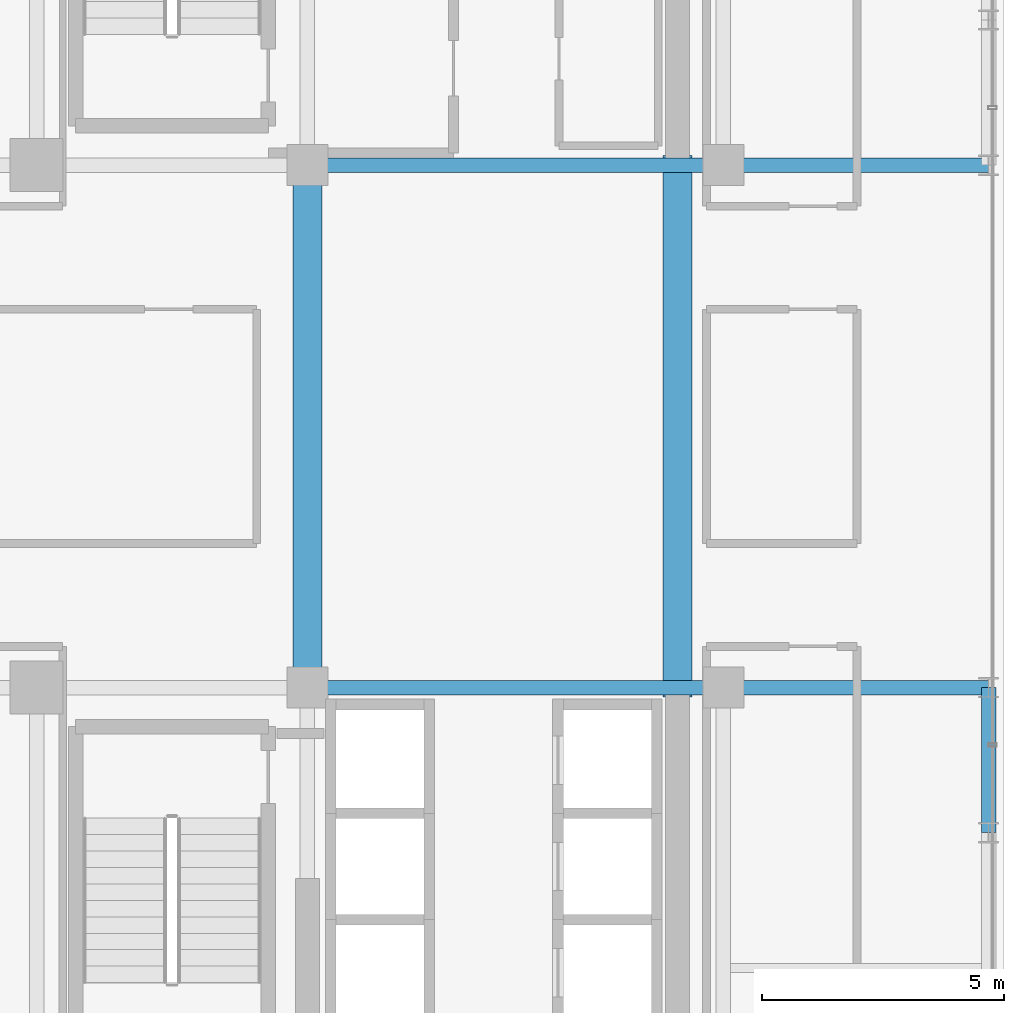
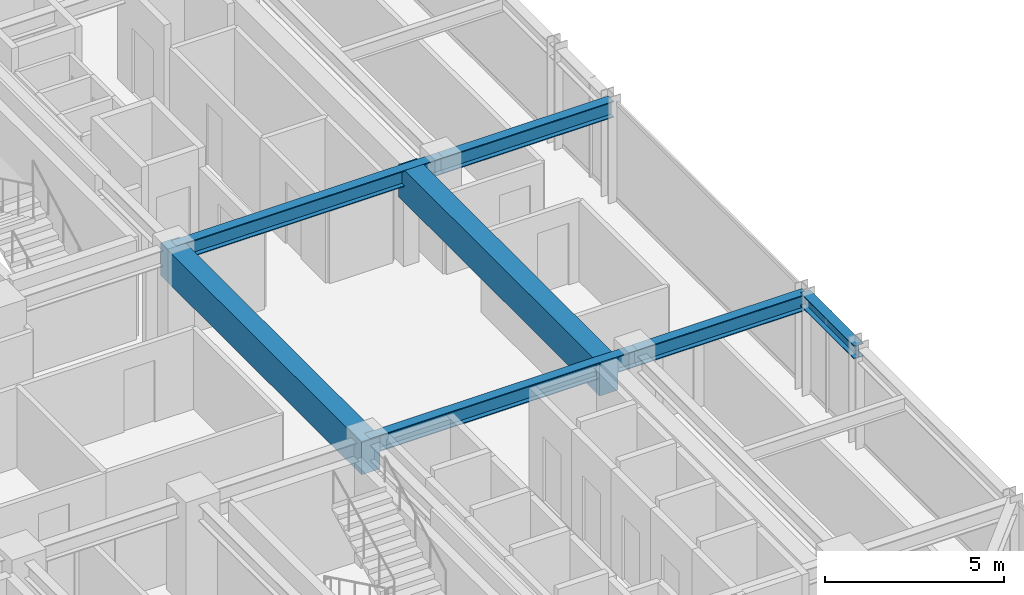
# One storey, part 15 of 31: 7 beams.
"""IFC4 building model written with IfcOpenShell, lengths in metres."""

from ifc_helpers import new_model, si_unit, direction, frame, origin, origin_2d, place, context, subcontext, project, spatial, rectangle, i_section, extrude, source, transform, mapped, material, material_profile, profile_set, type_object, element, save


model = new_model("IFC4")

# Units and contexts
model_context = context("Model", 3, precision=1e-05, world=origin(), true_north=direction((0.0, 1.0)))
body_context = subcontext(model_context, "Body", "Model", "MODEL_VIEW")
ifc_project = project(units=[si_unit("LENGTHUNIT", "METRE"), si_unit("AREAUNIT", "SQUARE_METRE"), si_unit("VOLUMEUNIT", "CUBIC_METRE"), si_unit("PLANEANGLEUNIT", "RADIAN"), si_unit("MASSUNIT", "GRAM", prefix="KILO")], contexts=[model_context])

# Site, building, storey
site_placement = place(None, origin())
site = spatial("IfcSite", under=ifc_project, at=site_placement, CompositionType="ELEMENT")
building_placement = place(site_placement, origin())
building = spatial("IfcBuilding", under=site, at=building_placement, Name="Nahalor Promenade Grand Hotel", CompositionType="ELEMENT")
storey_placement = place(building_placement, frame((0.0, 0.0, 156.300048828125)))
storey = spatial("IfcBuildingStorey", under=building, at=storey_placement, Name="L39", CompositionType="ELEMENT", Elevation=156.300048828125)

# Beams
ifc_material_1 = material(Name="Concrete B-60 (C50/60)", Category="concrete")
ifc_material_profile_1 = material_profile(ifc_material_1, rectangle(XDim=0.6, YDim=1.1, at=origin_2d()), Name="RC 600x1100")
ifc_profile_set_1 = profile_set([ifc_material_profile_1], Name="Concrete B-60 (C50/60)")
beam_type_1 = type_object("IfcBeamType", Name="Beam-Lintel-RC1100", PredefinedType="LINTEL", material=ifc_profile_set_1)
shared_shape_1 = source(origin(), body_context, "Body", "SweptSolid", [
    extrude(rectangle(XDim=0.6, YDim=1.1, at=origin_2d()), origin(), (0.0, 0.0, 1.0), 11.2001953125),
])
for number, where, z_axis, x_axis, name in (
    (1, (8.39990234375, -5.60009765625, 2.83984375), (0.0, 1.0, 0.0), (-1.0, 0.0, 0.0), "BM-L39-LINT-W"),
    (2, (16.050048828125, -5.60009765625, 2.83984375), (0.0, 1.0, 0.0), (-1.0, 0.0, 0.0), "BM-L39-LINT-E"),
):
    element("IfcBeam", number, at=place(storey_placement, frame(where, z_axis=z_axis, x_axis=x_axis)), inside=storey, type_object=beam_type_1, Name=name, PredefinedType="LINTEL", context=body_context, shape_type="MappedRepresentation", body=[
        mapped(shared_shape_1, transform((0.0, 0.0, 0.0), scale=1.0)),
    ])
ifc_material_2 = material(Name="Steel S355JR", Category="steel")
ifc_material_profile_2 = material_profile(ifc_material_2, i_section(OverallWidth=0.3, OverallDepth=0.55, WebThickness=0.015, FlangeThickness=0.029, at=origin_2d()), Name="HEB 550")
ifc_profile_set_2 = profile_set([ifc_material_profile_2], Name="Steel S355JR")
beam_type_2 = type_object("IfcBeamType", Name="Beam-Girder-HEB550", PredefinedType="BEAM", material=ifc_profile_set_2)
shared_shape_2 = source(origin(), body_context, "Body", "SweptSolid", [
    extrude(i_section(OverallWidth=0.3, OverallDepth=0.55, WebThickness=0.015, FlangeThickness=0.029, at=origin_2d()), origin(), (0.0, 0.0, 1.0), 8.60009765625),
])
for number, where, z_axis, x_axis, name in (
    (3, (8.39990234375, -5.39990234375, 3.114990234375), (1.0, 0.0, 0.0), (0.0, 1.0, 0.0), "BM-L39-GX-1-5"),
    (4, (8.39990234375, 5.39990234375, 3.114990234375), (1.0, 0.0, 0.0), (0.0, 1.0, 0.0), "BM-L39-GX-2-5"),
):
    element("IfcBeam", number, at=place(storey_placement, frame(where, z_axis=z_axis, x_axis=x_axis)), inside=storey, type_object=beam_type_2, Name=name, PredefinedType="BEAM", context=body_context, shape_type="MappedRepresentation", body=[
        mapped(shared_shape_2, transform((0.0, 0.0, 0.0), scale=1.0)),
    ])
shared_shape_3 = source(origin(), body_context, "Body", "SweptSolid", [
    extrude(i_section(OverallWidth=0.3, OverallDepth=0.55, WebThickness=0.015, FlangeThickness=0.029, at=origin_2d()), origin(), (0.0, 0.0, 1.0), 5.47998046875),
])
for number, where, z_axis, x_axis, name in (
    (5, (17.0, -5.39990234375, 3.114990234375), (1.0, 0.0, 0.0), (0.0, 1.0, 0.0), "BM-L39-GX-1-6"),
    (6, (17.0, 5.39990234375, 3.114990234375), (1.0, 0.0, 0.0), (0.0, 1.0, 0.0), "BM-L39-GX-2-6"),
):
    element("IfcBeam", number, at=place(storey_placement, frame(where, z_axis=z_axis, x_axis=x_axis)), inside=storey, type_object=beam_type_2, Name=name, PredefinedType="BEAM", context=body_context, shape_type="MappedRepresentation", body=[
        mapped(shared_shape_3, transform((0.0, 0.0, 0.0), scale=1.0)),
    ])
ifc_material_profile_3 = material_profile(ifc_material_2, i_section(OverallWidth=0.3, OverallDepth=0.45, WebThickness=0.014, FlangeThickness=0.026, at=origin_2d()), Name="HEB 450")
ifc_profile_set_3 = profile_set([ifc_material_profile_3], Name="Steel S355JR")
beam_type_3 = type_object("IfcBeamType", Name="Beam-Spandrel-HEB450", PredefinedType="SPANDREL", material=ifc_profile_set_3)
shared_shape_4 = source(origin(), body_context, "Body", "SweptSolid", [
    extrude(i_section(OverallWidth=0.3, OverallDepth=0.45, WebThickness=0.014, FlangeThickness=0.026, at=origin_2d()), origin(), (0.0, 0.0, 1.0), 3.0),
])
beam_placement = place(storey_placement, frame((22.47998046875, -8.39990234375, 3.1650390625), z_axis=(0.0, 1.0, 0.0), x_axis=(-1.0, 0.0, 0.0)))
element("IfcBeam", 7, at=beam_placement, inside=storey, type_object=beam_type_3, Name="BM-L39-SP-E-1", PredefinedType="SPANDREL", context=body_context, shape_type="MappedRepresentation", body=[
    mapped(shared_shape_4, transform((0.0, 0.0, 0.0), scale=1.0)),
])

save(model, "model.ifc")
